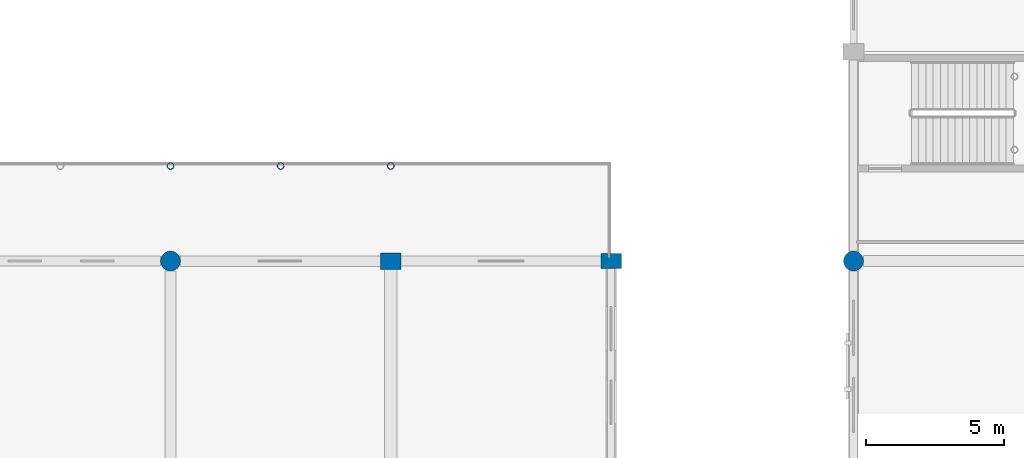
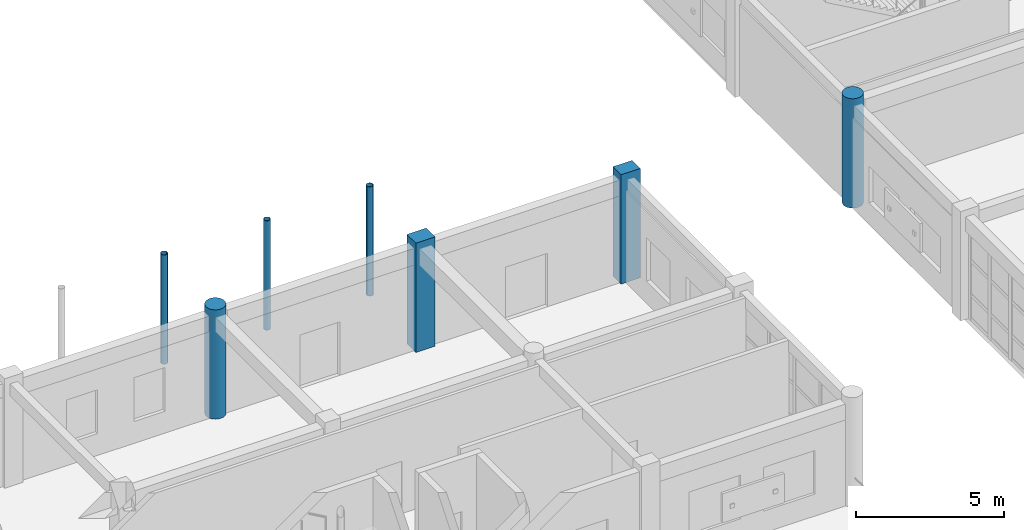
# One storey, part 12 of 160: 7 columns.
"""IFC4 building model written with IfcOpenShell, lengths in metres."""

from ifc_helpers import new_model, si_unit, direction, frame, origin, origin_2d, place, context, subcontext, project, spatial, rectangle, circle, hollow_circle, extrude, material, material_profile, profile_set, type_object, element, save


model = new_model("IFC4")

# Units and contexts
model_context = context("Model", 3, precision=1e-05, world=origin(), true_north=direction((0.0, 1.0)))
body_context = subcontext(model_context, "Body", "Model", "MODEL_VIEW")
ifc_project = project(units=[si_unit("LENGTHUNIT", "METRE"), si_unit("AREAUNIT", "SQUARE_METRE"), si_unit("VOLUMEUNIT", "CUBIC_METRE"), si_unit("PLANEANGLEUNIT", "RADIAN"), si_unit("MASSUNIT", "GRAM", prefix="KILO")], contexts=[model_context])

# Site, building, storey
site_placement = place(None, origin())
site = spatial("IfcSite", under=ifc_project, at=site_placement, CompositionType="ELEMENT")
building_placement = place(site_placement, origin())
building = spatial("IfcBuilding", under=site, at=building_placement, Name="Kharva Crest Polytechnic", CompositionType="ELEMENT")
storey_placement = place(building_placement, frame((0.0, 0.0, 4.5)))
storey = spatial("IfcBuildingStorey", under=building, at=storey_placement, Name="L01", CompositionType="ELEMENT", Elevation=4.5)

# Columns
ifc_material_1 = material(Name="Concrete C40/50", Category="concrete")
ifc_material_profile_1 = material_profile(ifc_material_1, rectangle(XDim=0.75, YDim=0.550048828125, at=origin_2d()), Name="RECT 750 X 550")
ifc_profile_set_1 = profile_set([ifc_material_profile_1], Name="Concrete C40/50")
column_type_1 = type_object("IfcColumnType", Name="COL-EXT-750X550", PredefinedType="COLUMN", material=ifc_profile_set_1)
column_1_placement = place(storey_placement, frame((112.0, 22.800048828125, 0.0), z_axis=(0.0, 0.0, 1.0), x_axis=(1.0, 0.0, 0.0)))
element("IfcColumn", 1, at=column_1_placement, inside=storey, type_object=column_type_1, Name="L01 Column 15/D", PredefinedType="COLUMN", context=body_context, shape_type="SweptSolid", body=[
    extrude(rectangle(XDim=0.75, YDim=0.550048828125, at=origin_2d()), origin(), (0.0, 0.0, 1.0), 4.5),
])
ifc_material_profile_2 = material_profile(ifc_material_1, rectangle(XDim=0.75, YDim=0.60009765625, at=origin_2d()), Name="RECT 750 X 600")
ifc_profile_set_2 = profile_set([ifc_material_profile_2], Name="Concrete C40/50")
column_type_2 = type_object("IfcColumnType", Name="COL-EXT-750X600", PredefinedType="COLUMN", material=ifc_profile_set_2)
column_2_placement = place(storey_placement, frame((104.0, 22.800048828125, 0.0), z_axis=(0.0, 0.0, 1.0), x_axis=(1.0, 0.0, 0.0)))
element("IfcColumn", 2, at=column_2_placement, inside=storey, type_object=column_type_2, Name="L01 Column 14/D", PredefinedType="COLUMN", context=body_context, shape_type="SweptSolid", body=[
    extrude(rectangle(XDim=0.75, YDim=0.60009765625, at=origin_2d()), origin(), (0.0, 0.0, 1.0), 4.5),
])
ifc_material_profile_3 = material_profile(ifc_material_1, circle(Radius=0.360107421875, at=origin_2d()), Name="DIA 720")
ifc_profile_set_3 = profile_set([ifc_material_profile_3], Name="Concrete C40/50")
column_type_3 = type_object("IfcColumnType", Name="COL-EXT-DIA720", PredefinedType="COLUMN", material=ifc_profile_set_3)
for number, where, z_axis, x_axis, name in (
    (3, (96.0, 22.800048828125, 0.0), (0.0, 0.0, 1.0), (1.0, 0.0, 0.0), "L01 Column 13/D"),
    (4, (120.800048828125, 22.800048828125, 0.0), (0.0, 0.0, 1.0), (1.0, 0.0, 0.0), "L01 Column 16J/D"),
):
    element("IfcColumn", number, at=place(storey_placement, frame(where, z_axis=z_axis, x_axis=x_axis)), inside=storey, type_object=column_type_3, Name=name, PredefinedType="COLUMN", context=body_context, shape_type="SweptSolid", body=[
        extrude(circle(Radius=0.360107421875, at=origin_2d()), origin(), (0.0, 0.0, 1.0), 4.5),
    ])
ifc_material_2 = material(Name="Steel S355", Category="steel")
ifc_material_profile_4 = material_profile(ifc_material_2, hollow_circle(Radius=0.122314453125, WallThickness=0.010009765625, at=origin_2d()), Name="CHS 244.5X10.0")
ifc_profile_set_4 = profile_set([ifc_material_profile_4], Name="Steel S355")
column_type_4 = type_object("IfcColumnType", Name="COL-STL-CHS244", PredefinedType="COLUMN", material=ifc_profile_set_4)
for number, where, z_axis, x_axis, name in (
    (5, (96.0, 26.25, 0.0), (0.0, 0.0, 1.0), (1.0, 0.0, 0.0), "L01 Colonnade Column VS05"),
    (6, (104.0, 26.25, 0.0), (0.0, 0.0, 1.0), (1.0, 0.0, 0.0), "L01 Colonnade Column VS06"),
    (7, (100.0, 26.25, 0.0), (0.0, 0.0, 1.0), (1.0, 0.0, 0.0), "L01 Colonnade Mid Column VSM05"),
):
    element("IfcColumn", number, at=place(storey_placement, frame(where, z_axis=z_axis, x_axis=x_axis)), inside=storey, type_object=column_type_4, Name=name, PredefinedType="COLUMN", context=body_context, shape_type="SweptSolid", body=[
        extrude(hollow_circle(Radius=0.122314453125, WallThickness=0.010009765625, at=origin_2d()), origin(), (0.0, 0.0, 1.0), 4.5),
    ])

save(model, "model.ifc")
